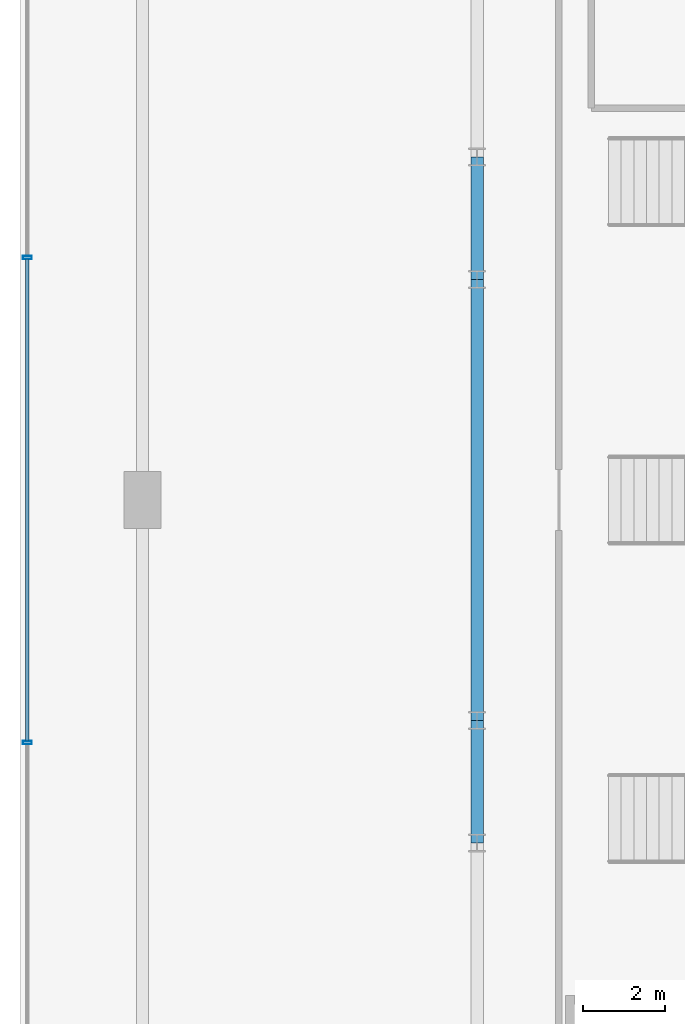
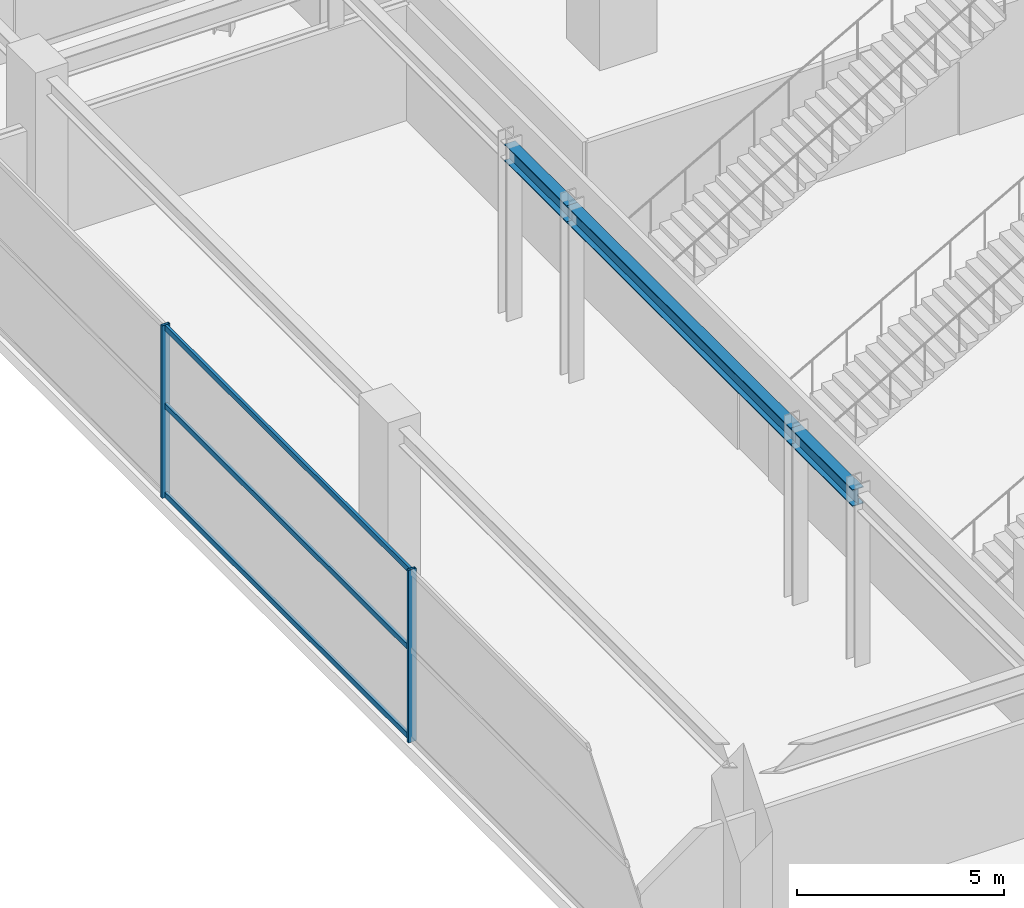
# One storey, part 7 of 34: 5 members, 3 beams, 1 element without a shape of its own.
"""IFC4 building model written with IfcOpenShell, lengths in metres."""

from ifc_helpers import new_model, si_unit, direction, frame, origin, origin_2d, place, context, subcontext, project, spatial, hollow_rectangle, i_section, extrude, source, transform, mapped, material, material_profile, profile_set, type_object, element, aggregate, save


model = new_model("IFC4")

# Units and contexts
model_context = context("Model", 3, precision=1e-05, world=origin(), true_north=direction((0.0, 1.0)))
body_context = subcontext(model_context, "Body", "Model", "MODEL_VIEW")
ifc_project = project(units=[si_unit("LENGTHUNIT", "METRE"), si_unit("AREAUNIT", "SQUARE_METRE"), si_unit("VOLUMEUNIT", "CUBIC_METRE"), si_unit("PLANEANGLEUNIT", "RADIAN"), si_unit("MASSUNIT", "GRAM", prefix="KILO")], contexts=[model_context])

# Site, building, storey
site_placement = place(None, origin())
site = spatial("IfcSite", under=ifc_project, at=site_placement, CompositionType="ELEMENT")
building_placement = place(site_placement, origin())
building = spatial("IfcBuilding", under=site, at=building_placement, Name="Nahalor Promenade Grand Hotel", CompositionType="ELEMENT")
storey_placement = place(building_placement, frame((0.0, 0.0, 16.199951171875)))
storey = spatial("IfcBuildingStorey", under=building, at=storey_placement, Name="L03", CompositionType="ELEMENT", Elevation=16.199951171875)

# Beams
ifc_material_1 = material(Name="Steel S355JR", Category="steel")
ifc_material_profile_1 = material_profile(ifc_material_1, i_section(OverallWidth=0.3, OverallDepth=0.5, WebThickness=0.0145, FlangeThickness=0.028, at=origin_2d()), Name="HEB 500")
ifc_profile_set_1 = profile_set([ifc_material_profile_1], Name="Steel S355JR")
beam_type = type_object("IfcBeamType", Name="Beam-Spandrel-HEB500", PredefinedType="SPANDREL", material=ifc_profile_set_1)
shared_shape_1 = source(origin(), body_context, "Body", "SweptSolid", [
    extrude(i_section(OverallWidth=0.3, OverallDepth=0.5, WebThickness=0.0145, FlangeThickness=0.028, at=origin_2d()), origin(), (0.0, 0.0, 1.0), 3.0),
])
for number, where, z_axis, x_axis, name in (
    (1, (-24.800048828125, -8.39990234375, 4.830078125), (0.0, 1.0, 0.0), (-1.0, 0.0, 0.0), "BM-L03-SP-W-1"),
    (2, (-24.800048828125, 5.39990234375, 4.830078125), (0.0, 1.0, 0.0), (-1.0, 0.0, 0.0), "BM-L03-SP-W-3"),
):
    element("IfcBeam", number, at=place(storey_placement, frame(where, z_axis=z_axis, x_axis=x_axis)), inside=storey, type_object=beam_type, Name=name, PredefinedType="SPANDREL", context=body_context, shape_type="MappedRepresentation", body=[
        mapped(shared_shape_1, transform((0.0, 0.0, 0.0), scale=1.0)),
    ])
shared_shape_2 = source(origin(), body_context, "Body", "SweptSolid", [
    extrude(i_section(OverallWidth=0.3, OverallDepth=0.5, WebThickness=0.0145, FlangeThickness=0.028, at=origin_2d()), origin(), (0.0, 0.0, 1.0), 10.7998046875),
])
beam_placement = place(storey_placement, frame((-24.800048828125, -5.39990234375, 4.830078125), z_axis=(0.0, 1.0, 0.0), x_axis=(-1.0, 0.0, 0.0)))
element("IfcBeam", 3, at=beam_placement, inside=storey, type_object=beam_type, Name="BM-L03-SP-W-2", PredefinedType="SPANDREL", context=body_context, shape_type="MappedRepresentation", body=[
    mapped(shared_shape_2, transform((0.0, 0.0, 0.0), scale=1.0)),
])

# Curtain wall, members
ifc_material_2 = material(Name="Anodised Bronze Aluminium EN AW-6063 T6", Category="aluminium")
curtain_wall_type = type_object("IfcCurtainWallType", Name="CW1 Waterfront Podium Bronze Arcade Curtain Wall", PredefinedType="USERDEFINED", material=ifc_material_2)
curtain_wall_placement = place(storey_placement, origin())
curtain_wall = element("IfcCurtainWall", 4, at=curtain_wall_placement, inside=storey, type_object=curtain_wall_type, Name="L03 Curtain Wall CW-L03-W", ObjectType="UNITISED_CURTAIN_WALL", PredefinedType="USERDEFINED")
ifc_material_profile_2 = material_profile(ifc_material_2, hollow_rectangle(XDim=0.08, YDim=0.22, WallThickness=0.005, at=origin_2d()), Name="CWM 80x220x5")
ifc_profile_set_2 = profile_set([ifc_material_profile_2], Name="Anodised Bronze Aluminium EN AW-6063 T6")
member_type_1 = type_object("IfcMemberType", Name="CWM1 Podium Bronze Mullion 80x220", PredefinedType="MULLION", material=ifc_profile_set_2)
shared_shape_3 = source(origin(), body_context, "Body", "SweptSolid", [
    extrude(hollow_rectangle(XDim=0.08, YDim=0.22, WallThickness=0.005, at=origin_2d()), origin(), (0.0, 0.0, 1.0), 5.080078125),
])
member_1_placement = place(storey_placement, frame((-35.820068359375, -5.93994140625, 0.0), z_axis=(0.0, 0.0, 1.0), x_axis=(0.0, 1.0, 0.0)))
member_1 = element("IfcMember", 5, at=member_1_placement, type_object=member_type_1, Name="CW-L03-W Mullion 1", PredefinedType="MULLION", context=body_context, shape_type="MappedRepresentation", body=[
    mapped(shared_shape_3, transform((0.0, 0.0, 0.0), scale=1.0)),
])
member_2_placement = place(storey_placement, frame((-35.820068359375, 5.93994140625, 0.0), z_axis=(0.0, 0.0, 1.0), x_axis=(0.0, 1.0, 0.0)))
member_2 = element("IfcMember", 6, at=member_2_placement, type_object=member_type_1, Name="CW-L03-W Mullion 2", PredefinedType="MULLION", context=body_context, shape_type="MappedRepresentation", body=[
    mapped(shared_shape_3, transform((0.0, 0.0, 0.0), scale=1.0)),
])
ifc_material_profile_3 = material_profile(ifc_material_2, hollow_rectangle(XDim=0.08, YDim=0.16, WallThickness=0.004, at=origin_2d()), Name="CWT 80x160x4")
ifc_profile_set_3 = profile_set([ifc_material_profile_3], Name="Anodised Bronze Aluminium EN AW-6063 T6")
member_type_2 = type_object("IfcMemberType", Name="CWT1 Podium Bronze Transom 80x160", PredefinedType="USERDEFINED", material=ifc_profile_set_3)
shared_shape_4 = source(origin(), body_context, "Body", "SweptSolid", [
    extrude(hollow_rectangle(XDim=0.08, YDim=0.16, WallThickness=0.004, at=origin_2d()), origin(), (0.0, 0.0, 1.0), 11.7998046875),
])
member_3_placement = place(storey_placement, frame((-35.820068359375, -5.89990234375, 0.080078125), z_axis=(0.0, 1.0, 0.0), x_axis=(-1.0, 0.0, 0.0)))
member_3 = element("IfcMember", 7, at=member_3_placement, type_object=member_type_2, Name="CW-L03-W Transom 1-0", ObjectType="TRANSOM", PredefinedType="USERDEFINED", context=body_context, shape_type="MappedRepresentation", body=[
    mapped(shared_shape_4, transform((0.0, 0.0, 0.0), scale=1.0)),
])
member_4_placement = place(storey_placement, frame((-35.820068359375, -5.89990234375, 2.699951171875), z_axis=(0.0, 1.0, 0.0), x_axis=(-1.0, 0.0, 0.0)))
member_4 = element("IfcMember", 8, at=member_4_placement, type_object=member_type_2, Name="CW-L03-W Transom 1-1", ObjectType="TRANSOM", PredefinedType="USERDEFINED", context=body_context, shape_type="MappedRepresentation", body=[
    mapped(shared_shape_4, transform((0.0, 0.0, 0.0), scale=1.0)),
])
member_5_placement = place(storey_placement, frame((-35.820068359375, -5.89990234375, 5.0), z_axis=(0.0, 1.0, 0.0), x_axis=(-1.0, 0.0, 0.0)))
member_5 = element("IfcMember", 9, at=member_5_placement, type_object=member_type_2, Name="CW-L03-W Transom 1-2", ObjectType="TRANSOM", PredefinedType="USERDEFINED", context=body_context, shape_type="MappedRepresentation", body=[
    mapped(shared_shape_4, transform((0.0, 0.0, 0.0), scale=1.0)),
])
aggregate(curtain_wall, [member_1, member_2, member_3, member_4, member_5])

save(model, "model.ifc")
